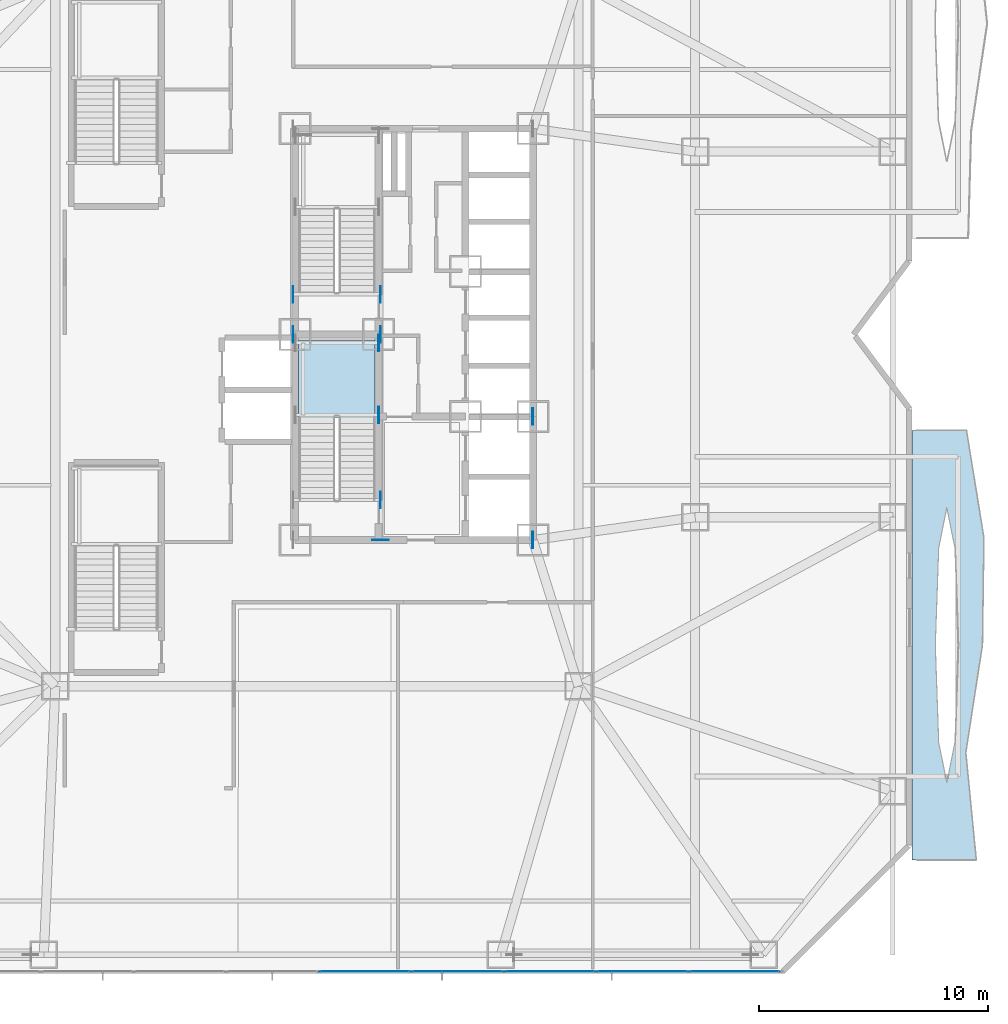
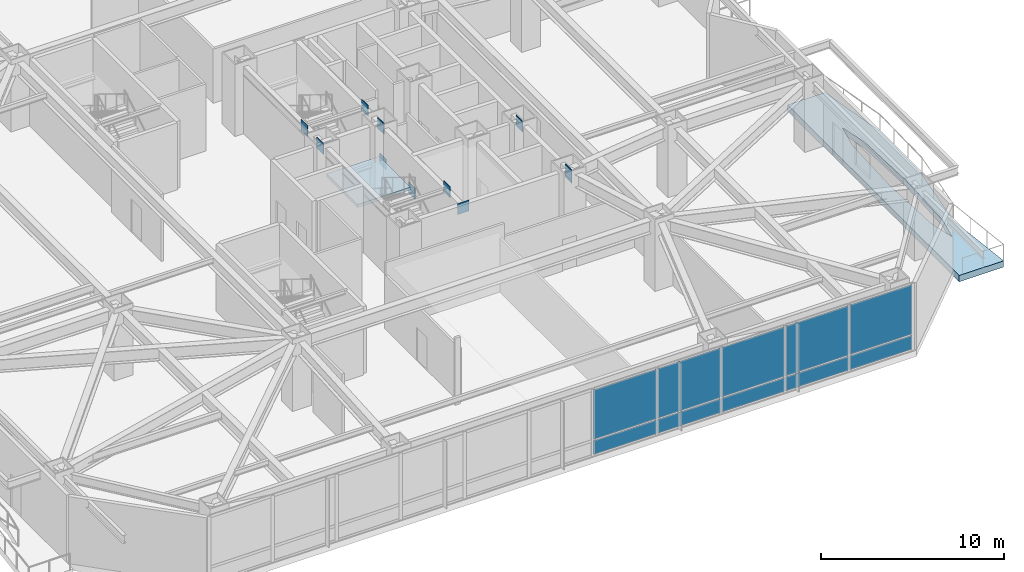
# One storey, part 18 of 33: 21 plates, 2 slabs, 2 elements without a shape of their own.
"""IFC4 building model written with IfcOpenShell, lengths in metres."""

from ifc_helpers import new_model, si_unit, direction, frame, origin, origin_2d, place, context, subcontext, project, spatial, polyline, rectangle, outline, extrude, material, layer, layer_set, type_object, element, aggregate, save


model = new_model("IFC4")

# Units and contexts
model_context = context("Model", 3, precision=1e-05, world=origin(), true_north=direction((0.0, 1.0)))
body_context = subcontext(model_context, "Body", "Model", "MODEL_VIEW")
ifc_project = project(units=[si_unit("LENGTHUNIT", "METRE"), si_unit("AREAUNIT", "SQUARE_METRE"), si_unit("VOLUMEUNIT", "CUBIC_METRE"), si_unit("PLANEANGLEUNIT", "RADIAN"), si_unit("MASSUNIT", "GRAM", prefix="KILO")], contexts=[model_context])

# Site, building, storey
site_placement = place(None, origin())
site = spatial("IfcSite", under=ifc_project, at=site_placement, CompositionType="ELEMENT")
building_placement = place(site_placement, origin())
building = spatial("IfcBuilding", under=site, at=building_placement, Name="Khamvora Tower", CompositionType="ELEMENT")
storey_placement = place(building_placement, frame((0.0, 0.0, 7.199951171875)))
storey = spatial("IfcBuildingStorey", under=building, at=storey_placement, Name="L01", CompositionType="ELEMENT", Elevation=7.199951171875)

# Curtain wall, plates
ifc_material_1 = material(Name="Anodised Aluminium 6063-T6", Category="aluminium")
curtain_wall_type = type_object("IfcCurtainWallType", Name="CW-SYS-01", PredefinedType="NOTDEFINED", material=ifc_material_1)
curtain_wall_placement = place(storey_placement, origin())
curtain_wall = element("IfcCurtainWall", 1, at=curtain_wall_placement, inside=storey, type_object=curtain_wall_type, Name="L01 stick curtain wall 14.1", PredefinedType="NOTDEFINED")
ifc_material_2 = material(Name="Low-E Laminated Double Glazing", Category="glass")
ifc_layer_1 = layer(ifc_material_2, 0.035888671875)
ifc_layer_set_1 = layer_set([ifc_layer_1], Name="Low-E Laminated Double Glazing")
plate_type_1 = type_object("IfcPlateType", Name="CW-SYS-01-PNL", PredefinedType="CURTAIN_PANEL", material=ifc_layer_set_1)
plate_1_placement = place(storey_placement, frame((48.231201171875, 0.1201171875, 0.074951171875), z_axis=(0.0, 0.0, 1.0), x_axis=(-1.0, 0.0, 0.0)))
plate_1 = element("IfcPlate", 2, at=plate_1_placement, type_object=plate_type_1, Name="CW-01 panel 1.1", PredefinedType="CURTAIN_PANEL", context=body_context, shape_type="SweptSolid", body=[
    extrude(rectangle(XDim=3.9375, YDim=0.035888671875, at=origin_2d()), origin(), (0.0, 0.0, 1.0), 0.9375),
])
plate_2_placement = place(storey_placement, frame((48.231201171875, 0.1201171875, 1.087646484375), z_axis=(0.0, 0.0, 1.0), x_axis=(-1.0, 0.0, 0.0)))
plate_2 = element("IfcPlate", 3, at=plate_2_placement, type_object=plate_type_1, Name="CW-01 panel 1.2", PredefinedType="CURTAIN_PANEL", context=body_context, shape_type="SweptSolid", body=[
    extrude(rectangle(XDim=3.9375, YDim=0.035888671875, at=origin_2d()), origin(), (0.0, 0.0, 1.0), 3.3173828125),
])
plate_3_placement = place(storey_placement, frame((44.199951171875, 0.1201171875, 0.074951171875), z_axis=(0.0, 0.0, 1.0), x_axis=(-1.0, 0.0, 0.0)))
plate_3 = element("IfcPlate", 4, at=plate_3_placement, type_object=plate_type_1, Name="CW-01 panel 2.1", PredefinedType="CURTAIN_PANEL", context=body_context, shape_type="SweptSolid", body=[
    extrude(rectangle(XDim=3.97509765625, YDim=0.035888671875, at=origin_2d()), origin(), (0.0, 0.0, 1.0), 0.9375),
])
plate_4_placement = place(storey_placement, frame((44.199951171875, 0.1201171875, 1.087646484375), z_axis=(0.0, 0.0, 1.0), x_axis=(-1.0, 0.0, 0.0)))
plate_4 = element("IfcPlate", 5, at=plate_4_placement, type_object=plate_type_1, Name="CW-01 panel 2.2", PredefinedType="CURTAIN_PANEL", context=body_context, shape_type="SweptSolid", body=[
    extrude(rectangle(XDim=3.97509765625, YDim=0.035888671875, at=origin_2d()), origin(), (0.0, 0.0, 1.0), 3.3173828125),
])
plate_5_placement = place(storey_placement, frame((40.14990234375, 0.1201171875, 0.074951171875), z_axis=(0.0, 0.0, 1.0), x_axis=(-1.0, 0.0, 0.0)))
plate_5 = element("IfcPlate", 6, at=plate_5_placement, type_object=plate_type_1, Name="CW-01 panel 3.1", PredefinedType="CURTAIN_PANEL", context=body_context, shape_type="SweptSolid", body=[
    extrude(rectangle(XDim=3.97509765625, YDim=0.035888671875, at=origin_2d()), origin(), (0.0, 0.0, 1.0), 0.9375),
])
plate_6_placement = place(storey_placement, frame((40.14990234375, 0.1201171875, 1.087646484375), z_axis=(0.0, 0.0, 1.0), x_axis=(-1.0, 0.0, 0.0)))
plate_6 = element("IfcPlate", 7, at=plate_6_placement, type_object=plate_type_1, Name="CW-01 panel 3.2", PredefinedType="CURTAIN_PANEL", context=body_context, shape_type="SweptSolid", body=[
    extrude(rectangle(XDim=3.97509765625, YDim=0.035888671875, at=origin_2d()), origin(), (0.0, 0.0, 1.0), 3.3173828125),
])
plate_7_placement = place(storey_placement, frame((36.10009765625, 0.1201171875, 0.074951171875), z_axis=(0.0, 0.0, 1.0), x_axis=(-1.0, 0.0, 0.0)))
plate_7 = element("IfcPlate", 8, at=plate_7_placement, type_object=plate_type_1, Name="CW-01 panel 4.1", PredefinedType="CURTAIN_PANEL", context=body_context, shape_type="SweptSolid", body=[
    extrude(rectangle(XDim=3.97509765625, YDim=0.035888671875, at=origin_2d()), origin(), (0.0, 0.0, 1.0), 0.9375),
])
plate_8_placement = place(storey_placement, frame((36.10009765625, 0.1201171875, 1.087646484375), z_axis=(0.0, 0.0, 1.0), x_axis=(-1.0, 0.0, 0.0)))
plate_8 = element("IfcPlate", 9, at=plate_8_placement, type_object=plate_type_1, Name="CW-01 panel 4.2", PredefinedType="CURTAIN_PANEL", context=body_context, shape_type="SweptSolid", body=[
    extrude(rectangle(XDim=3.97509765625, YDim=0.035888671875, at=origin_2d()), origin(), (0.0, 0.0, 1.0), 3.3173828125),
])
plate_9_placement = place(storey_placement, frame((32.050048828125, 0.1201171875, 0.074951171875), z_axis=(0.0, 0.0, 1.0), x_axis=(-1.0, 0.0, 0.0)))
plate_9 = element("IfcPlate", 10, at=plate_9_placement, type_object=plate_type_1, Name="CW-01 panel 5.1", PredefinedType="CURTAIN_PANEL", context=body_context, shape_type="SweptSolid", body=[
    extrude(rectangle(XDim=3.97509765625, YDim=0.035888671875, at=origin_2d()), origin(), (0.0, 0.0, 1.0), 0.9375),
])
plate_10_placement = place(storey_placement, frame((32.050048828125, 0.1201171875, 1.087646484375), z_axis=(0.0, 0.0, 1.0), x_axis=(-1.0, 0.0, 0.0)))
plate_10 = element("IfcPlate", 11, at=plate_10_placement, type_object=plate_type_1, Name="CW-01 panel 5.2", PredefinedType="CURTAIN_PANEL", context=body_context, shape_type="SweptSolid", body=[
    extrude(rectangle(XDim=3.97509765625, YDim=0.035888671875, at=origin_2d()), origin(), (0.0, 0.0, 1.0), 3.3173828125),
])
aggregate(curtain_wall, [plate_1, plate_2, plate_3, plate_4, plate_5, plate_6, plate_7, plate_8, plate_9, plate_10])

# Plates
ifc_material_3 = material(Name="Steel S460", Category="steel")
ifc_layer_2 = layer(ifc_material_3, 0.034912109375)
ifc_layer_set_2 = layer_set([ifc_layer_2], Name="Steel S460")
plate_type_2 = type_object("IfcPlateType", Name="PL-EMB-35", PredefinedType="SHEET", material=ifc_layer_set_2)
for number, where, z_axis, x_axis, name in (
    (12, (32.64990234375, 24.47509765625, 1.708984375), (0.0, 0.0, 1.0), (1.0, 0.0, 0.0), "L01 core shear wall cast-in embed plate 0080"),
    (13, (32.64990234375, 27.6298828125, 1.708984375), (0.0, 0.0, 1.0), (1.0, 0.0, 0.0), "L01 core shear wall cast-in embed plate 0082"),
    (14, (39.39990234375, 19.0, 3.69189453125), (0.0, 0.0, 1.0), (1.0, 0.0, 0.0), "L01 core shear wall cast-in embed plate 0088"),
    (15, (28.89990234375, 28.0, 3.85302734375), (0.0, 0.0, 1.0), (1.0, 0.0, 0.0), "L01 core shear wall cast-in embed plate 0091"),
):
    element("IfcPlate", number, at=place(storey_placement, frame(where, z_axis=z_axis, x_axis=x_axis)), inside=storey, type_object=plate_type_2, Name=name, PredefinedType="SHEET", context=body_context, shape_type="SweptSolid", body=[
        extrude(rectangle(XDim=0.034912109375, YDim=0.719970703125, at=origin_2d()), origin(), (0.0, 0.0, 1.0), 0.719970703125),
    ])
plate_11_placement = place(storey_placement, frame((32.72998046875, 19.0, 3.85302734375), z_axis=(0.0, 0.0, 1.0), x_axis=(1.0, 0.0, 0.0)))
element("IfcPlate", 16, at=plate_11_placement, inside=storey, type_object=plate_type_2, Name="L01 core shear wall cast-in embed plate 0093", PredefinedType="SHEET", context=body_context, shape_type="SweptSolid", body=[
    extrude(rectangle(XDim=0.719970703125, YDim=0.034912109375, at=origin_2d()), origin(), (0.0, 0.0, 1.0), 0.719970703125),
])
for number, where, z_axis, x_axis, name in (
    (17, (32.72998046875, 28.0, 3.85302734375), (0.0, 0.0, 1.0), (1.0, 0.0, 0.0), "L01 core shear wall cast-in embed plate 0094"),
    (18, (39.39990234375, 19.0, 3.85302734375), (0.0, 0.0, 1.0), (1.0, 0.0, 0.0), "L01 core shear wall cast-in embed plate 0096"),
    (19, (39.39990234375, 24.39990234375, 3.85302734375), (0.0, 0.0, 1.0), (1.0, 0.0, 0.0), "L01 core shear wall cast-in embed plate 0097"),
    (20, (32.72998046875, 20.75, 3.994140625), (0.0, 0.0, 1.0), (1.0, 0.0, 0.0), "L01 core shear wall cast-in embed plate 0100"),
    (21, (28.89990234375, 29.75, 3.994140625), (0.0, 0.0, 1.0), (1.0, 0.0, 0.0), "L01 core shear wall cast-in embed plate 0101"),
    (22, (32.72998046875, 29.75, 3.994140625), (0.0, 0.0, 1.0), (1.0, 0.0, 0.0), "L01 core shear wall cast-in embed plate 0102"),
):
    element("IfcPlate", number, at=place(storey_placement, frame(where, z_axis=z_axis, x_axis=x_axis)), inside=storey, type_object=plate_type_2, Name=name, PredefinedType="SHEET", context=body_context, shape_type="SweptSolid", body=[
        extrude(rectangle(XDim=0.034912109375, YDim=0.719970703125, at=origin_2d()), origin(), (0.0, 0.0, 1.0), 0.719970703125),
    ])

# Slab
ifc_material_4 = material(Name="Concrete C40/50", Category="concrete")
ifc_layer_3 = layer(ifc_material_4, 0.419921875)
ifc_layer_set_3 = layer_set([ifc_layer_3], Name="Concrete C40/50")
slab_type_1 = type_object("IfcSlabType", Name="SLB-GRD-420", PredefinedType="FLOOR", material=ifc_layer_set_3)
slab_1_placement = place(storey_placement, frame((0.0, 0.0, -0.419921875)))
element("IfcSlab", 23, at=slab_1_placement, inside=storey, type_object=slab_type_1, Name="L01 external lens gallery slab EL1", PredefinedType="FLOOR", context=body_context, shape_type="SweptSolid", body=[
    extrude(outline(polyline([(58.804931640625, 5.0), (58.344970703125, 9.699951171875), (59.072998046875, 14.39990234375), (59.137939453125, 19.10009765625), (58.375, 23.800048828125), (56.0, 23.800048828125), (56.0, 5.0), (58.804931640625, 5.0)]), holes=[polyline([(58.01904296875, 14.39990234375), (57.87109375, 18.654052734375), (57.514892578125, 20.416015625), (57.158935546875, 18.654052734375), (57.010986328125, 14.39990234375), (57.158935546875, 10.14599609375), (57.514892578125, 8.384033203125), (57.87109375, 10.14599609375), (58.01904296875, 14.39990234375)])]), origin(), (0.0, 0.0, 1.0), 0.419921875),
])

# Stair, slab
stair_type = type_object("IfcStairType", Name="STR-ST-01", PredefinedType="HALF_TURN_STAIR", material=ifc_material_4)
stair_placement = place(storey_placement, origin())
stair = element("IfcStair", 24, at=stair_placement, inside=storey, type_object=stair_type, Name="L01 South Tower Exit Stair ST-01", PredefinedType="HALF_TURN_STAIR")
ifc_layer_4 = layer(ifc_material_4, 0.199951171875)
ifc_layer_set_4 = layer_set([ifc_layer_4], Name="Concrete C40/50")
slab_type_2 = type_object("IfcSlabType", Name="SLB-LND-200", PredefinedType="LANDING", material=ifc_layer_set_4)
slab_2_placement = place(storey_placement, frame((0.0, 0.0, 2.199951171875)))
slab_2 = element("IfcSlab", 25, at=slab_2_placement, type_object=slab_type_2, Name="ST-01 landing 1", PredefinedType="LANDING", context=body_context, shape_type="SweptSolid", body=[
    extrude(outline(polyline([(32.5, 24.35498046875), (32.5, 27.75), (29.14990234375, 27.75), (29.14990234375, 24.35498046875), (32.5, 24.35498046875)])), origin(), (0.0, 0.0, 1.0), 0.2001953125),
])
aggregate(stair, [slab_2])

save(model, "model.ifc")
